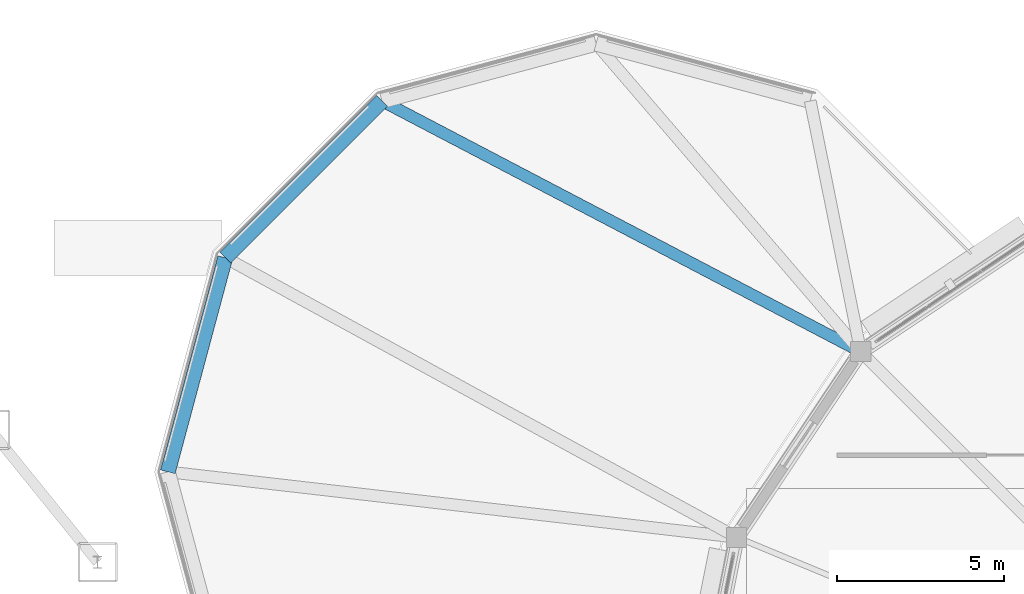
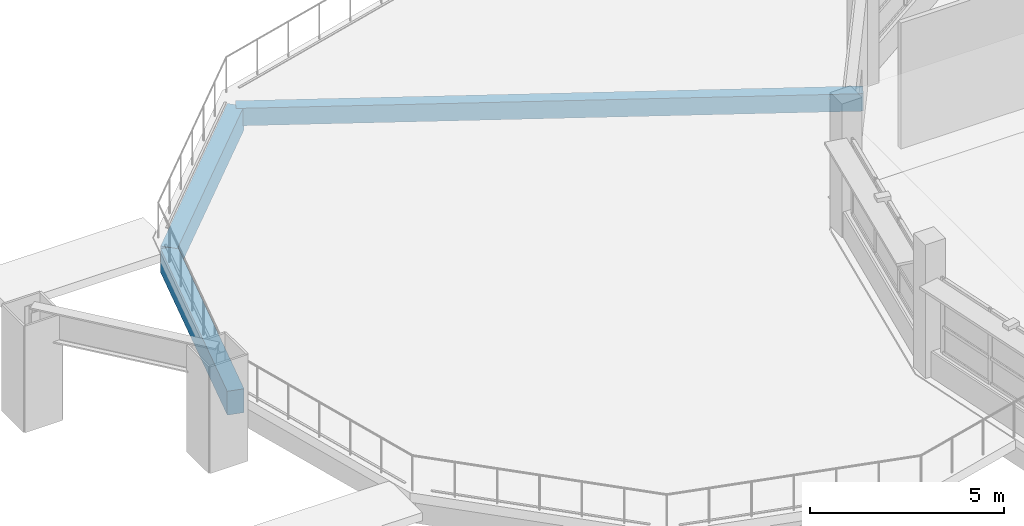
# One storey, part 42 of 128: 3 beams.
"""IFC4 building model written with IfcOpenShell, lengths in metres."""

from ifc_helpers import new_model, si_unit, direction, frame, origin, origin_2d, place, context, subcontext, project, spatial, rectangle, extrude, material, material_profile, profile_set, type_object, element, save


model = new_model("IFC4")

# Units and contexts
model_context = context("Model", 3, precision=1e-05, world=origin(), true_north=direction((0.0, 1.0)))
body_context = subcontext(model_context, "Body", "Model", "MODEL_VIEW")
ifc_project = project(units=[si_unit("LENGTHUNIT", "METRE"), si_unit("AREAUNIT", "SQUARE_METRE"), si_unit("VOLUMEUNIT", "CUBIC_METRE"), si_unit("PLANEANGLEUNIT", "RADIAN"), si_unit("MASSUNIT", "GRAM", prefix="KILO")], contexts=[model_context])

# Site, building, storey
site_placement = place(None, origin())
site = spatial("IfcSite", under=ifc_project, at=site_placement, CompositionType="ELEMENT")
building_placement = place(site_placement, origin())
building = spatial("IfcBuilding", under=site, at=building_placement, Name="Vespera Passage Community Centre", CompositionType="ELEMENT")
storey_placement = place(building_placement, frame((0.0, 0.0, 4.5)))
storey = spatial("IfcBuildingStorey", under=building, at=storey_placement, Name="L01", CompositionType="ELEMENT", Elevation=4.5)

# Beams
ifc_material_1 = material(Name="Concrete f'c 35 MPa", Category="concrete")
ifc_material_profile_1 = material_profile(ifc_material_1, rectangle(XDim=0.35009765625, YDim=0.550048828125, at=origin_2d()), Name="RC350X550")
ifc_profile_set_1 = profile_set([ifc_material_profile_1], Name="Concrete f'c 35 MPa")
beam_type_1 = type_object("IfcBeamType", Name="BM-J-350X550", PredefinedType="JOIST", material=ifc_profile_set_1)
beam_1_placement = place(storey_placement, frame((114.60009765625, 44.585205078125, -0.574951171875), z_axis=(0.885862006017, -0.463948818617, 0.0), x_axis=(0.463948818617, 0.885862006017, 0.0)))
element("IfcBeam", 1, at=beam_1_placement, inside=storey, type_object=beam_type_1, Name="V3A L01 Radial Tie Girder 3", PredefinedType="JOIST", context=body_context, shape_type="SweptSolid", body=[
    extrude(rectangle(XDim=0.35009765625, YDim=0.550048828125, at=origin_2d()), origin(), (0.0, 0.0, 1.0), 16.15185546875),
])
ifc_material_2 = material(Name="Concrete f'c 35 MPa", Category="concrete")
ifc_material_profile_2 = material_profile(ifc_material_2, rectangle(XDim=0.449951171875, YDim=0.75, at=origin_2d()), Name="RC450X750")
ifc_profile_set_2 = profile_set([ifc_material_profile_2], Name="Concrete f'c 35 MPa")
beam_type_2 = type_object("IfcBeamType", Name="BM-SP-450X750E", PredefinedType="SPANDREL", material=ifc_profile_set_2)
beam_2_placement = place(storey_placement, frame((114.60009765625, 44.585205078125, -0.675048828125), z_axis=(-0.707106781187, -0.707106781187, 0.0), x_axis=(0.707106781187, -0.707106781187, 0.0)))
element("IfcBeam", 2, at=beam_2_placement, inside=storey, type_object=beam_type_2, Name="V3A L01 Cafe Spandrel 3", PredefinedType="SPANDREL", context=body_context, shape_type="SweptSolid", body=[
    extrude(rectangle(XDim=0.449951171875, YDim=0.75, at=origin_2d()), origin(), (0.0, 0.0, 1.0), 6.6259765625),
])
beam_3_placement = place(storey_placement, frame((109.914794921875, 39.89990234375, -0.675048828125), z_axis=(-0.258818353032, -0.965926011729, 0.0), x_axis=(0.965926011729, -0.258818353032, 0.0)))
element("IfcBeam", 3, at=beam_3_placement, inside=storey, type_object=beam_type_2, Name="V3A L01 Cafe Spandrel 4", PredefinedType="SPANDREL", context=body_context, shape_type="SweptSolid", body=[
    extrude(rectangle(XDim=0.449951171875, YDim=0.75, at=origin_2d()), origin(), (0.0, 0.0, 1.0), 6.625732421875),
])

save(model, "model.ifc")
